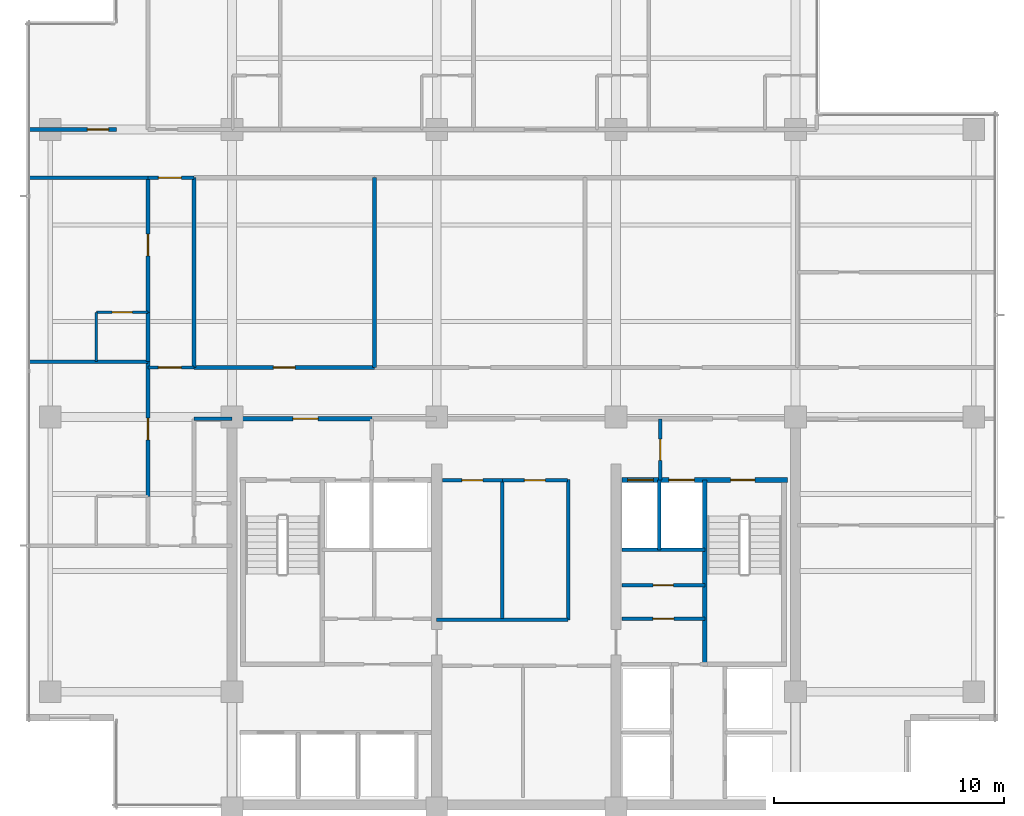
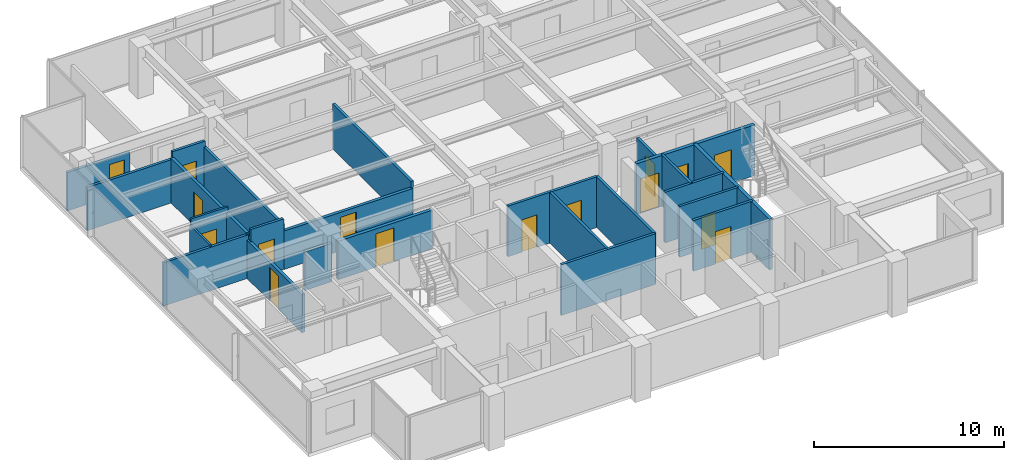
# One storey, part 8 of 14: 27 walls, 16 doors, 16 openings.
"""IFC4 building model written with IfcOpenShell, lengths in metres."""

from ifc_helpers import new_model, si_unit, direction, frame, frame_2d, origin, place, context, subcontext, project, spatial, rectangle, extrude, material, layer, layer_set, type_object, element, fill, save


model = new_model("IFC4")

# Units and contexts
model_context = context("Model", 3, precision=1e-05, world=origin(), true_north=direction((0.0, 1.0)))
body_context = subcontext(model_context, "Body", "Model", "MODEL_VIEW")
ifc_project = project(units=[si_unit("LENGTHUNIT", "METRE"), si_unit("AREAUNIT", "SQUARE_METRE"), si_unit("VOLUMEUNIT", "CUBIC_METRE"), si_unit("PLANEANGLEUNIT", "RADIAN"), si_unit("MASSUNIT", "GRAM", prefix="KILO")], contexts=[model_context])

# Site, building, storey
site_placement = place(None, origin())
site = spatial("IfcSite", under=ifc_project, at=site_placement, CompositionType="ELEMENT")
building_placement = place(site_placement, origin())
building = spatial("IfcBuilding", under=site, at=building_placement, Name="Qalmaran Belvedere Hotel", CompositionType="ELEMENT")
storey_placement = place(building_placement, frame((0.0, 0.0, 210.89990234375)))
storey = spatial("IfcBuildingStorey", under=building, at=storey_placement, Name="L53", CompositionType="ELEMENT", Elevation=210.89990234375)

# Wall, opening, door
ifc_material_1 = material(Name="Moisture-Resistant Gypsum")
ifc_layer_1 = layer(ifc_material_1, 0.1201171875, Name="Moisture-Resistant Gypsum")
ifc_layer_set_1 = layer_set([ifc_layer_1], Name="Moisture-Resistant Gypsum")
wall_type_1 = type_object("IfcWallType", Name="WL-INT-120-BATH", PredefinedType="PARTITIONING", material=ifc_layer_set_1)
wall_1_placement = place(storey_placement, frame((14.39990234375, 25.050048828125, 0.0), z_axis=(0.0, 0.0, 1.0), x_axis=(1.0, 0.0, 0.0)))
wall_1 = element("IfcWall", 1, at=wall_1_placement, inside=storey, type_object=wall_type_1, Name="L53 Partition WL-L53-WBN01", PredefinedType="PARTITIONING", context=body_context, shape_type="SweptSolid", body=[
    extrude(rectangle(XDim=2.25, YDim=0.1201171875, at=frame_2d((1.125, 0.0))), origin(), (0.0, 0.0, 1.0), 3.260009765625),
])
opening_1_placement = place(wall_1_placement, frame((1.56494140625, 0.0, 0.0), z_axis=(0.0, 0.0, 1.0), x_axis=(-1.0, 0.0, 0.0)))
opening_1 = element("IfcOpeningElement", 2, at=opening_1_placement, cuts=wall_1, Name="Opening D-BATH", PredefinedType="OPENING", context=body_context, shape_type="SweptSolid", body=[
    extrude(rectangle(XDim=0.8798828125, YDim=2.080078125, at=frame_2d((0.43994140625, 1.0400390625))), frame((0.0, 0.070068359375, 0.0), z_axis=(0.0, -1.0, 0.0), x_axis=(1.0, 0.0, 0.0)), (0.0, 0.0, 1.0), 0.14013671875),
])
ifc_material_2 = material(Name="Engineered Oak Veneer")
door_type_1 = type_object("IfcDoorType", Name="DR-INT-BATH-880X2080", OperationType="NOTDEFINED", PredefinedType="DOOR", material=ifc_material_2)
door_1_placement = place(opening_1_placement, origin())
door_1 = element("IfcDoor", 3, at=door_1_placement, inside=storey, type_object=door_type_1, Name="L53 W Ensuite Door 02", OperationType="SINGLE_SWING_RIGHT", OverallHeight=2.080078125, OverallWidth=0.8798828125, PredefinedType="DOOR", context=body_context, shape_type="SweptSolid", body=[
    extrude(rectangle(XDim=0.8798828125, YDim=2.080078125, at=frame_2d((0.43994140625, 1.0400390625))), frame((0.0, 0.02490234375, 0.0), z_axis=(0.0, -1.0, 0.0), x_axis=(1.0, 0.0, 0.0)), (0.0, 0.0, 1.0), 0.050048828125),
])
fill(opening_1, door_1)

# Walls
wall_2_placement = place(storey_placement, frame((14.39990234375, 22.89990234375, 0.0), z_axis=(0.0, 0.0, 1.0), x_axis=(0.0, 1.0, 0.0)))
element("IfcWall", 4, at=wall_2_placement, inside=storey, type_object=wall_type_1, Name="L53 Partition WL-L53-WBS01", PredefinedType="PARTITIONING", context=body_context, shape_type="SweptSolid", body=[
    extrude(rectangle(XDim=2.150146484375, YDim=0.1201171875, at=frame_2d((1.0751953125, 0.0))), origin(), (0.0, 0.0, 1.0), 2.88720703125),
])
ifc_material_3 = material(Name="Gypsum Stud Partition")
ifc_layer_2 = layer(ifc_material_3, 0.14990234375, Name="Gypsum Stud Partition")
ifc_layer_set_2 = layer_set([ifc_layer_2], Name="Gypsum Stud Partition")
wall_type_2 = type_object("IfcWallType", Name="WL-INT-150-EI120", PredefinedType="PARTITIONING", material=ifc_layer_set_2)
wall_3_placement = place(storey_placement, frame((38.8798828125, 14.719970703125, 0.0), z_axis=(0.0, 0.0, 1.0), x_axis=(0.0, 1.0, 0.0)))
element("IfcWall", 5, at=wall_3_placement, inside=storey, type_object=wall_type_2, Name="L53 Partition WL-FF2M-L53", PredefinedType="PARTITIONING", context=body_context, shape_type="SweptSolid", body=[
    extrude(rectangle(XDim=3.0400390625, YDim=0.14990234375, at=frame_2d((1.52001953125, 0.0))), origin(), (0.0, 0.0, 1.0), 3.260009765625),
])

# Wall, opening, door
ifc_layer_3 = layer(ifc_material_3, 0.14990234375, Name="Gypsum Stud Partition")
ifc_layer_set_3 = layer_set([ifc_layer_3], Name="Gypsum Stud Partition")
wall_type_3 = type_object("IfcWallType", Name="WL-INT-150-EI60", PredefinedType="PARTITIONING", material=ifc_layer_set_3)
wall_4_placement = place(storey_placement, frame((37.25, 13.18505859375, 0.0), z_axis=(0.0, 0.0, 1.0), x_axis=(1.0, 0.0, 0.0)))
wall_4 = element("IfcWall", 6, at=wall_4_placement, inside=storey, type_object=wall_type_3, Name="L53 Partition WL-L53-KEHM", PredefinedType="PARTITIONING", context=body_context, shape_type="SweptSolid", body=[
    extrude(rectangle(XDim=3.610107421875, YDim=0.14990234375, at=frame_2d((1.80517578125, 0.0))), origin(), (0.0, 0.0, 1.0), 3.260009765625),
])
opening_2_placement = place(wall_4_placement, frame((1.364990234375, 0.0, 0.0)))
opening_2 = element("IfcOpeningElement", 7, at=opening_2_placement, cuts=wall_4, Name="Opening FD60B", PredefinedType="OPENING", context=body_context, shape_type="SweptSolid", body=[
    extrude(rectangle(XDim=0.8798828125, YDim=2.080078125, at=frame_2d((0.43994140625, 1.0400390625))), frame((0.0, 0.0849609375, 0.0), z_axis=(0.0, -1.0, 0.0), x_axis=(1.0, 0.0, 0.0)), (0.0, 0.0, 1.0), 0.169921875),
])
ifc_material_4 = material(Name="Steel S355JR", Category="steel")
door_type_2 = type_object("IfcDoorType", Name="DR-FD60B-880X2080", OperationType="NOTDEFINED", PredefinedType="DOOR", material=ifc_material_4)
door_2_placement = place(opening_2_placement, origin())
door_2 = element("IfcDoor", 8, at=door_2_placement, inside=storey, type_object=door_type_2, Name="L53 Hotel Linen Closet Door", OperationType="SINGLE_SWING_RIGHT", OverallHeight=2.080078125, OverallWidth=0.8798828125, PredefinedType="DOOR", context=body_context, shape_type="SweptSolid", body=[
    extrude(rectangle(XDim=0.8798828125, YDim=2.080078125, at=frame_2d((0.43994140625, 1.0400390625))), frame((0.0, 0.02490234375, 0.0), z_axis=(0.0, -1.0, 0.0), x_axis=(1.0, 0.0, 0.0)), (0.0, 0.0, 1.0), 0.050048828125),
])
fill(opening_2, door_2)

# Wall
wall_5_placement = place(storey_placement, frame((32.056396484375, 11.739990234375, 0.0), z_axis=(0.0, 0.0, 1.0), x_axis=(0.0, 1.0, 0.0)))
element("IfcWall", 9, at=wall_5_placement, inside=storey, type_object=wall_type_3, Name="L53 Partition WL-L53-KPMV1", PredefinedType="PARTITIONING", context=body_context, shape_type="SweptSolid", body=[
    extrude(rectangle(XDim=6.010009765625, YDim=0.14990234375, at=frame_2d((3.0048828125, 0.0))), origin(), (0.0, 0.0, 1.0), 3.260009765625),
])

# Wall, opening, door
wall_6_placement = place(storey_placement, frame((16.64990234375, 22.64990234375, 0.0), z_axis=(0.0, 0.0, 1.0), x_axis=(1.0, 0.0, 0.0)))
wall_6 = element("IfcWall", 10, at=wall_6_placement, inside=storey, type_object=wall_type_3, Name="L53 Partition WL-L53-XCW1", PredefinedType="PARTITIONING", context=body_context, shape_type="SweptSolid", body=[
    extrude(rectangle(XDim=2.0, YDim=0.14990234375, at=frame_2d((1.0, 0.0))), origin(), (0.0, 0.0, 1.0), 3.260009765625),
])
opening_3_placement = place(wall_6_placement, frame((0.449951171875, 0.0, 0.0)))
opening_3 = element("IfcOpeningElement", 11, at=opening_3_placement, cuts=wall_6, Name="Opening FD90B", PredefinedType="OPENING", context=body_context, shape_type="SweptSolid", body=[
    extrude(rectangle(XDim=1.0, YDim=2.14990234375, at=frame_2d((0.5, 1.074951171875))), frame((0.0, 0.0849609375, 0.0), z_axis=(0.0, -1.0, 0.0), x_axis=(1.0, 0.0, 0.0)), (0.0, 0.0, 1.0), 0.169921875),
])
door_type_3 = type_object("IfcDoorType", Name="DR-FD90B-1000X2150", OperationType="NOTDEFINED", PredefinedType="DOOR", material=ifc_material_4)
door_3_placement = place(opening_3_placement, origin())
door_3 = element("IfcDoor", 12, at=door_3_placement, inside=storey, type_object=door_type_3, Name="L53 West Corridor Smoke Door S", OperationType="SINGLE_SWING_LEFT", OverallHeight=2.14990234375, OverallWidth=1.0, PredefinedType="DOOR", context=body_context, shape_type="SweptSolid", body=[
    extrude(rectangle(XDim=1.0, YDim=2.14990234375, at=frame_2d((0.5, 1.074951171875))), frame((0.0, 0.02490234375, 0.0), z_axis=(0.0, -1.0, 0.0), x_axis=(1.0, 0.0, 0.0)), (0.0, 0.0, 1.0), 0.050048828125),
])
fill(opening_3, door_3)

wall_7_placement = place(storey_placement, frame((16.64990234375, 30.89990234375, 0.0), z_axis=(0.0, 0.0, 1.0), x_axis=(1.0, 0.0, 0.0)))
wall_7 = element("IfcWall", 13, at=wall_7_placement, inside=storey, type_object=wall_type_3, Name="L53 Partition WL-L53-XCW2", PredefinedType="PARTITIONING", context=body_context, shape_type="SweptSolid", body=[
    extrude(rectangle(XDim=2.0, YDim=0.14990234375, at=frame_2d((1.0, 0.0))), origin(), (0.0, 0.0, 1.0), 3.260009765625),
])
opening_4_placement = place(wall_7_placement, frame((0.449951171875, 0.0, 0.0)))
opening_4 = element("IfcOpeningElement", 14, at=opening_4_placement, cuts=wall_7, Name="Opening FD90B", PredefinedType="OPENING", context=body_context, shape_type="SweptSolid", body=[
    extrude(rectangle(XDim=1.0, YDim=2.14990234375, at=frame_2d((0.5, 1.074951171875))), frame((0.0, 0.0849609375, 0.0), z_axis=(0.0, -1.0, 0.0), x_axis=(1.0, 0.0, 0.0)), (0.0, 0.0, 1.0), 0.169921875),
])
door_4_placement = place(opening_4_placement, origin())
door_4 = element("IfcDoor", 15, at=door_4_placement, inside=storey, type_object=door_type_3, Name="L53 West Corridor Smoke Door N", OperationType="SINGLE_SWING_RIGHT", OverallHeight=2.14990234375, OverallWidth=1.0, PredefinedType="DOOR", context=body_context, shape_type="SweptSolid", body=[
    extrude(rectangle(XDim=1.0, YDim=2.14990234375, at=frame_2d((0.5, 1.074951171875))), frame((0.0, 0.02490234375, 0.0), z_axis=(0.0, -1.0, 0.0), x_axis=(1.0, 0.0, 0.0)), (0.0, 0.0, 1.0), 0.050048828125),
])
fill(opening_4, door_4)

ifc_layer_4 = layer(ifc_material_3, 0.159912109375, Name="Gypsum Stud Partition")
ifc_layer_set_4 = layer_set([ifc_layer_4], Name="Gypsum Stud Partition")
wall_type_4 = type_object("IfcWallType", Name="WL-INT-160-EI120", PredefinedType="PARTITIONING", material=ifc_layer_set_4)
wall_8_placement = place(storey_placement, frame((38.919921875, 17.760009765625, 0.0), z_axis=(0.0, 0.0, 1.0), x_axis=(0.0, 1.0, 0.0)))
wall_8 = element("IfcWall", 16, at=wall_8_placement, inside=storey, type_object=wall_type_4, Name="L53 Partition WL-FFSV2-L53", PredefinedType="PARTITIONING", context=body_context, shape_type="SweptSolid", body=[
    extrude(rectangle(XDim=2.659912109375, YDim=0.159912109375, at=frame_2d((1.330078125, 0.0))), origin(), (0.0, 0.0, 1.0), 2.7060546875),
])
opening_5_placement = place(wall_8_placement, frame((1.77001953125, 0.0, 0.0), z_axis=(0.0, 0.0, 1.0), x_axis=(-1.0, 0.0, 0.0)))
opening_5 = element("IfcOpeningElement", 17, at=opening_5_placement, cuts=wall_8, Name="Opening FD60S1", PredefinedType="OPENING", context=body_context, shape_type="SweptSolid", body=[
    extrude(rectangle(XDim=0.919921875, YDim=2.080078125, at=frame_2d((0.4599609375, 1.0400390625))), frame((0.0, 0.08984375, 0.0), z_axis=(0.0, -1.0, 0.0), x_axis=(1.0, 0.0, 0.0)), (0.0, 0.0, 1.0), 0.179931640625),
])
door_type_4 = type_object("IfcDoorType", Name="DR-FD60S-920X2080", OperationType="NOTDEFINED", PredefinedType="DOOR", material=ifc_material_2)
door_5_placement = place(opening_5_placement, origin())
door_5 = element("IfcDoor", 18, at=door_5_placement, inside=storey, type_object=door_type_4, Name="L53 Service Lobby East Door", OperationType="SINGLE_SWING_LEFT", OverallHeight=2.080078125, OverallWidth=0.919921875, PredefinedType="DOOR", context=body_context, shape_type="SweptSolid", body=[
    extrude(rectangle(XDim=0.919921875, YDim=2.080078125, at=frame_2d((0.4599609375, 1.0400390625))), frame((0.0, 0.02490234375, 0.0), z_axis=(0.0, -1.0, 0.0), x_axis=(1.0, 0.0, 0.0)), (0.0, 0.0, 1.0), 0.050048828125),
])
fill(opening_5, door_5)

# Wall
wall_9_placement = place(storey_placement, frame((37.25, 14.719970703125, 0.0), z_axis=(0.0, 0.0, 1.0), x_axis=(1.0, 0.0, 0.0)))
element("IfcWall", 19, at=wall_9_placement, inside=storey, type_object=wall_type_4, Name="L53 Partition WL-FF2S-L53", PredefinedType="PARTITIONING", context=body_context, shape_type="SweptSolid", body=[
    extrude(rectangle(XDim=3.610107421875, YDim=0.159912109375, at=frame_2d((1.80517578125, 0.0))), origin(), (0.0, 0.0, 1.0), 3.260009765625),
])

# Wall, opening, door
ifc_layer_5 = layer(ifc_material_3, 0.159912109375, Name="Gypsum Stud Partition")
ifc_layer_set_5 = layer_set([ifc_layer_5], Name="Gypsum Stud Partition")
wall_type_5 = type_object("IfcWallType", Name="WL-INT-160-EI60", PredefinedType="PARTITIONING", material=ifc_layer_set_5)
wall_10_placement = place(storey_placement, frame((37.25, 11.719970703125, 0.0), z_axis=(0.0, 0.0, 1.0), x_axis=(1.0, 0.0, 0.0)))
wall_10 = element("IfcWall", 20, at=wall_10_placement, inside=storey, type_object=wall_type_5, Name="L53 Partition WL-L53-KEE1", PredefinedType="PARTITIONING", context=body_context, shape_type="SweptSolid", body=[
    extrude(rectangle(XDim=3.610107421875, YDim=0.159912109375, at=frame_2d((1.80517578125, 0.0))), origin(), (0.0, 0.0, 1.0), 3.260009765625),
])
opening_6_placement = place(wall_10_placement, frame((1.344970703125, 0.0, 0.0)))
opening_6 = element("IfcOpeningElement", 21, at=opening_6_placement, cuts=wall_10, Name="Opening FD60S1", PredefinedType="OPENING", context=body_context, shape_type="SweptSolid", body=[
    extrude(rectangle(XDim=0.919921875, YDim=2.080078125, at=frame_2d((0.4599609375, 1.0400390625))), frame((0.0, 0.08984375, 0.0), z_axis=(0.0, -1.0, 0.0), x_axis=(1.0, 0.0, 0.0)), (0.0, 0.0, 1.0), 0.179931640625),
])
door_6_placement = place(opening_6_placement, origin())
door_6 = element("IfcDoor", 22, at=door_6_placement, inside=storey, type_object=door_type_4, Name="L53 Low Voltage Switch Room Door", OperationType="SINGLE_SWING_LEFT", OverallHeight=2.080078125, OverallWidth=0.919921875, PredefinedType="DOOR", context=body_context, shape_type="SweptSolid", body=[
    extrude(rectangle(XDim=0.919921875, YDim=2.080078125, at=frame_2d((0.4599609375, 1.0400390625))), frame((0.0, 0.02490234375, 0.0), z_axis=(0.0, -1.0, 0.0), x_axis=(1.0, 0.0, 0.0)), (0.0, 0.0, 1.0), 0.050048828125),
])
fill(opening_6, door_6)

# Walls
wall_11_placement = place(storey_placement, frame((34.919921875, 11.679931640625, 0.0), z_axis=(0.0, 0.0, 1.0), x_axis=(0.0, 1.0, 0.0)))
element("IfcWall", 23, at=wall_11_placement, inside=storey, type_object=wall_type_5, Name="L53 Partition WL-CLLV-L53", PredefinedType="PARTITIONING", context=body_context, shape_type="SweptSolid", body=[
    extrude(rectangle(XDim=6.10009765625, YDim=0.159912109375, at=frame_2d((3.050048828125, 0.0))), origin(), (0.0, 0.0, 1.0), 3.260009765625),
])
wall_12_placement = place(storey_placement, frame((29.199951171875, 11.679931640625, 0.0), z_axis=(0.0, 0.0, 1.0), x_axis=(1.0, 0.0, 0.0)))
element("IfcWall", 24, at=wall_12_placement, inside=storey, type_object=wall_type_5, Name="L53 Partition WL-PMFS-L53", PredefinedType="PARTITIONING", context=body_context, shape_type="SweptSolid", body=[
    extrude(rectangle(XDim=5.719970703125, YDim=0.159912109375, at=frame_2d((2.85986328125, 0.0))), origin(), (0.0, 0.0, 1.0), 3.260009765625),
])

# Wall, opening, door
wall_13_placement = place(storey_placement, frame((29.449951171875, 17.75, 0.0), z_axis=(0.0, 0.0, 1.0), x_axis=(1.0, 0.0, 0.0)))
wall_13 = element("IfcWall", 25, at=wall_13_placement, inside=storey, type_object=wall_type_5, Name="L53 Partition WL-L53-KPME1", PredefinedType="PARTITIONING", context=body_context, shape_type="SweptSolid", body=[
    extrude(rectangle(XDim=2.6064453125, YDim=0.159912109375, at=frame_2d((1.30322265625, 0.0))), origin(), (0.0, 0.0, 1.0), 3.260009765625),
])
opening_7_placement = place(wall_13_placement, frame((1.76318359375, 0.0, 0.0), z_axis=(0.0, 0.0, 1.0), x_axis=(-1.0, 0.0, 0.0)))
opening_7 = element("IfcOpeningElement", 26, at=opening_7_placement, cuts=wall_13, Name="Opening FD60S1", PredefinedType="OPENING", context=body_context, shape_type="SweptSolid", body=[
    extrude(rectangle(XDim=0.919921875, YDim=2.080078125, at=frame_2d((0.4599609375, 1.0400390625))), frame((0.0, 0.08984375, 0.0), z_axis=(0.0, -1.0, 0.0), x_axis=(1.0, 0.0, 0.0)), (0.0, 0.0, 1.0), 0.179931640625),
])
door_7_placement = place(opening_7_placement, origin())
door_7 = element("IfcDoor", 27, at=door_7_placement, inside=storey, type_object=door_type_4, Name="L53 Floor Linen Supply Store Door", OperationType="SINGLE_SWING_LEFT", OverallHeight=2.080078125, OverallWidth=0.919921875, PredefinedType="DOOR", context=body_context, shape_type="SweptSolid", body=[
    extrude(rectangle(XDim=0.919921875, YDim=2.080078125, at=frame_2d((0.4599609375, 1.0400390625))), frame((0.0, 0.02490234375, 0.0), z_axis=(0.0, -1.0, 0.0), x_axis=(1.0, 0.0, 0.0)), (0.0, 0.0, 1.0), 0.050048828125),
])
fill(opening_7, door_7)

wall_14_placement = place(storey_placement, frame((32.056396484375, 17.75, 0.0), z_axis=(0.0, 0.0, 1.0), x_axis=(1.0, 0.0, 0.0)))
wall_14 = element("IfcWall", 28, at=wall_14_placement, inside=storey, type_object=wall_type_5, Name="L53 Partition WL-L53-KPME2", PredefinedType="PARTITIONING", context=body_context, shape_type="SweptSolid", body=[
    extrude(rectangle(XDim=2.823486328125, YDim=0.159912109375, at=frame_2d((1.41162109375, 0.0))), origin(), (0.0, 0.0, 1.0), 3.260009765625),
])
opening_8_placement = place(wall_14_placement, frame((1.871826171875, 0.0, 0.0), z_axis=(0.0, 0.0, 1.0), x_axis=(-1.0, 0.0, 0.0)))
opening_8 = element("IfcOpeningElement", 29, at=opening_8_placement, cuts=wall_14, Name="Opening FD60S1", PredefinedType="OPENING", context=body_context, shape_type="SweptSolid", body=[
    extrude(rectangle(XDim=0.919921875, YDim=2.080078125, at=frame_2d((0.4599609375, 1.0400390625))), frame((0.0, 0.08984375, 0.0), z_axis=(0.0, -1.0, 0.0), x_axis=(1.0, 0.0, 0.0)), (0.0, 0.0, 1.0), 0.179931640625),
])
door_8_placement = place(opening_8_placement, origin())
door_8 = element("IfcDoor", 30, at=door_8_placement, inside=storey, type_object=door_type_4, Name="L53 Core Tableware Store Door", OperationType="SINGLE_SWING_RIGHT", OverallHeight=2.080078125, OverallWidth=0.919921875, PredefinedType="DOOR", context=body_context, shape_type="SweptSolid", body=[
    extrude(rectangle(XDim=0.919921875, YDim=2.080078125, at=frame_2d((0.4599609375, 1.0400390625))), frame((0.0, 0.02490234375, 0.0), z_axis=(0.0, -1.0, 0.0), x_axis=(1.0, 0.0, 0.0)), (0.0, 0.0, 1.0), 0.050048828125),
])
fill(opening_8, door_8)

# Walls
wall_15_placement = place(storey_placement, frame((18.64990234375, 20.419921875, 0.0), z_axis=(0.0, 0.0, 1.0), x_axis=(1.0, 0.0, 0.0)))
element("IfcWall", 31, at=wall_15_placement, inside=storey, type_object=wall_type_5, Name="L53 Partition WL-L53-WCLN", PredefinedType="PARTITIONING", context=body_context, shape_type="SweptSolid", body=[
    extrude(rectangle(XDim=1.650146484375, YDim=0.159912109375, at=frame_2d((0.8251953125, 0.0))), origin(), (0.0, 0.0, 1.0), 2.47216796875),
])
for number, where, z_axis, x_axis, name in (
    (32, (18.64990234375, 22.64990234375, 0.0), (0.0, 0.0, 1.0), (0.0, 1.0, 0.0), "L53 Partition WL-L53-MIDVL"),
    (33, (26.5, 22.64990234375, 0.0), (0.0, 0.0, 1.0), (0.0, 1.0, 0.0), "L53 Partition WL-L53-MIDVR1"),
):
    element("IfcWall", number, at=place(storey_placement, frame(where, z_axis=z_axis, x_axis=x_axis)), inside=storey, type_object=wall_type_5, Name=name, PredefinedType="PARTITIONING", context=body_context, shape_type="SweptSolid", body=[
        extrude(rectangle(XDim=8.25, YDim=0.159912109375, at=frame_2d((4.125, 0.0))), origin(), (0.0, 0.0, 1.0), 2.88720703125),
    ])
for number, where, z_axis, x_axis, name in (
    (34, (11.469970703125, 22.89990234375, 0.0), (0.0, 0.0, 1.0), (1.0, 0.0, 0.0), "L53 Partition WL-L53-WU00"),
    (35, (11.469970703125, 30.89990234375, 0.0), (0.0, 0.0, 1.0), (1.0, 0.0, 0.0), "L53 Partition WL-L53-WU01"),
):
    element("IfcWall", number, at=place(storey_placement, frame(where, z_axis=z_axis, x_axis=x_axis)), inside=storey, type_object=wall_type_5, Name=name, PredefinedType="PARTITIONING", context=body_context, shape_type="SweptSolid", body=[
        extrude(rectangle(XDim=5.179931640625, YDim=0.159912109375, at=frame_2d((2.58984375, 0.0))), origin(), (0.0, 0.0, 1.0), 2.781982421875),
    ])

# Wall, opening, door
ifc_layer_6 = layer(ifc_material_3, 0.179931640625, Name="Gypsum Stud Partition")
ifc_layer_set_6 = layer_set([ifc_layer_6], Name="Gypsum Stud Partition")
wall_type_6 = type_object("IfcWallType", Name="WL-INT-180-EI60", PredefinedType="PARTITIONING", material=ifc_layer_set_6)
wall_16_placement = place(storey_placement, frame((18.64990234375, 22.64990234375, 0.0), z_axis=(0.0, 0.0, 1.0), x_axis=(1.0, 0.0, 0.0)))
wall_16 = element("IfcWall", 36, at=wall_16_placement, inside=storey, type_object=wall_type_6, Name="L53 Partition WL-L53-MIDD1", PredefinedType="PARTITIONING", context=body_context, shape_type="SweptSolid", body=[
    extrude(rectangle(XDim=7.85009765625, YDim=0.179931640625, at=frame_2d((3.925048828125, 0.0))), origin(), (0.0, 0.0, 1.0), 2.47216796875),
])
opening_9_placement = place(wall_16_placement, frame((3.449951171875, 0.0, 0.0)))
opening_9 = element("IfcOpeningElement", 37, at=opening_9_placement, cuts=wall_16, Name="Opening FD60", PredefinedType="OPENING", context=body_context, shape_type="SweptSolid", body=[
    extrude(rectangle(XDim=0.949951171875, YDim=2.14990234375, at=frame_2d((0.47509765625, 1.074951171875))), frame((0.0, 0.10009765625, 0.0), z_axis=(0.0, -1.0, 0.0), x_axis=(1.0, 0.0, 0.0)), (0.0, 0.0, 1.0), 0.199951171875),
])
door_type_5 = type_object("IfcDoorType", Name="DR-FD60-950X2150", OperationType="NOTDEFINED", PredefinedType="DOOR", material=ifc_material_2)
door_9_placement = place(opening_9_placement, origin())
door_9 = element("IfcDoor", 38, at=door_9_placement, inside=storey, type_object=door_type_5, Name="L53 Housekeeping and Linen Room Door", OperationType="SINGLE_SWING_LEFT", OverallHeight=2.14990234375, OverallWidth=0.949951171875, PredefinedType="DOOR", context=body_context, shape_type="SweptSolid", body=[
    extrude(rectangle(XDim=0.949951171875, YDim=2.14990234375, at=frame_2d((0.47509765625, 1.074951171875))), frame((0.0, 0.02490234375, 0.0), z_axis=(0.0, -1.0, 0.0), x_axis=(1.0, 0.0, 0.0)), (0.0, 0.0, 1.0), 0.050048828125),
])
fill(opening_9, door_9)

wall_17_placement = place(storey_placement, frame((16.64990234375, 17.050048828125, 0.0), z_axis=(0.0, 0.0, 1.0), x_axis=(0.0, 1.0, 0.0)))
wall_17 = element("IfcWall", 39, at=wall_17_placement, inside=storey, type_object=wall_type_6, Name="L53 Partition WL-L53-WEC00", PredefinedType="PARTITIONING", context=body_context, shape_type="SweptSolid", body=[
    extrude(rectangle(XDim=5.849853515625, YDim=0.179931640625, at=frame_2d((2.9248046875, 0.0))), origin(), (0.0, 0.0, 1.0), 2.47216796875),
])
opening_10_placement = place(wall_17_placement, frame((2.449951171875, 0.0, 0.0)))
opening_10 = element("IfcOpeningElement", 40, at=opening_10_placement, cuts=wall_17, Name="Opening FD60", PredefinedType="OPENING", context=body_context, shape_type="SweptSolid", body=[
    extrude(rectangle(XDim=0.949951171875, YDim=2.14990234375, at=frame_2d((0.47509765625, 1.074951171875))), frame((0.0, 0.10009765625, 0.0), z_axis=(0.0, -1.0, 0.0), x_axis=(1.0, 0.0, 0.0)), (0.0, 0.0, 1.0), 0.199951171875),
])
door_10_placement = place(opening_10_placement, origin())
door_10 = element("IfcDoor", 41, at=door_10_placement, inside=storey, type_object=door_type_5, Name="L53 W Wing Door 01", OperationType="SINGLE_SWING_LEFT", OverallHeight=2.14990234375, OverallWidth=0.949951171875, PredefinedType="DOOR", context=body_context, shape_type="SweptSolid", body=[
    extrude(rectangle(XDim=0.949951171875, YDim=2.14990234375, at=frame_2d((0.47509765625, 1.074951171875))), frame((0.0, 0.02490234375, 0.0), z_axis=(0.0, -1.0, 0.0), x_axis=(1.0, 0.0, 0.0)), (0.0, 0.0, 1.0), 0.050048828125),
])
fill(opening_10, door_10)

# Wall
wall_18_placement = place(storey_placement, frame((16.64990234375, 22.89990234375, 0.0), z_axis=(0.0, 0.0, 1.0), x_axis=(0.0, 1.0, 0.0)))
element("IfcWall", 42, at=wall_18_placement, inside=storey, type_object=wall_type_6, Name="L53 Partition WL-L53-WBC01", PredefinedType="PARTITIONING", context=body_context, shape_type="SweptSolid", body=[
    extrude(rectangle(XDim=2.150146484375, YDim=0.179931640625, at=frame_2d((1.0751953125, 0.0))), origin(), (0.0, 0.0, 1.0), 2.88720703125),
])

# Wall, opening, door
wall_19_placement = place(storey_placement, frame((16.64990234375, 25.050048828125, 0.0), z_axis=(0.0, 0.0, 1.0), x_axis=(0.0, 1.0, 0.0)))
wall_19 = element("IfcWall", 43, at=wall_19_placement, inside=storey, type_object=wall_type_6, Name="L53 Partition WL-L53-WEC01", PredefinedType="PARTITIONING", context=body_context, shape_type="SweptSolid", body=[
    extrude(rectangle(XDim=5.849853515625, YDim=0.179931640625, at=frame_2d((2.9248046875, 0.0))), origin(), (0.0, 0.0, 1.0), 2.88720703125),
])
opening_11_placement = place(wall_19_placement, frame((2.449951171875, 0.0, 0.0)))
opening_11 = element("IfcOpeningElement", 44, at=opening_11_placement, cuts=wall_19, Name="Opening FD60", PredefinedType="OPENING", context=body_context, shape_type="SweptSolid", body=[
    extrude(rectangle(XDim=0.949951171875, YDim=2.14990234375, at=frame_2d((0.47509765625, 1.074951171875))), frame((0.0, 0.10009765625, 0.0), z_axis=(0.0, -1.0, 0.0), x_axis=(1.0, 0.0, 0.0)), (0.0, 0.0, 1.0), 0.199951171875),
])
door_11_placement = place(opening_11_placement, origin())
door_11 = element("IfcDoor", 45, at=door_11_placement, inside=storey, type_object=door_type_5, Name="L53 W Wing Door 02", OperationType="SINGLE_SWING_LEFT", OverallHeight=2.14990234375, OverallWidth=0.949951171875, PredefinedType="DOOR", context=body_context, shape_type="SweptSolid", body=[
    extrude(rectangle(XDim=0.949951171875, YDim=2.14990234375, at=frame_2d((0.47509765625, 1.074951171875))), frame((0.0, 0.02490234375, 0.0), z_axis=(0.0, -1.0, 0.0), x_axis=(1.0, 0.0, 0.0)), (0.0, 0.0, 1.0), 0.050048828125),
])
fill(opening_11, door_11)

wall_20_placement = place(storey_placement, frame((11.469970703125, 33.0, 0.0), z_axis=(0.0, 0.0, 1.0), x_axis=(1.0, 0.0, 0.0)))
wall_20 = element("IfcWall", 46, at=wall_20_placement, inside=storey, type_object=wall_type_6, Name="L53 Partition WL-L53-NWSD", PredefinedType="PARTITIONING", context=body_context, shape_type="SweptSolid", body=[
    extrude(rectangle(XDim=3.800048828125, YDim=0.179931640625, at=frame_2d((1.89990234375, 0.0))), origin(), (0.0, 0.0, 1.0), 2.47216796875),
])
opening_12_placement = place(wall_20_placement, frame((2.543701171875, 0.0, 0.0)))
opening_12 = element("IfcOpeningElement", 47, at=opening_12_placement, cuts=wall_20, Name="Opening FD60S1", PredefinedType="OPENING", context=body_context, shape_type="SweptSolid", body=[
    extrude(rectangle(XDim=0.919921875, YDim=2.080078125, at=frame_2d((0.4599609375, 1.0400390625))), frame((0.0, 0.10009765625, 0.0), z_axis=(0.0, -1.0, 0.0), x_axis=(1.0, 0.0, 0.0)), (0.0, 0.0, 1.0), 0.199951171875),
])
door_12_placement = place(opening_12_placement, origin())
door_12 = element("IfcDoor", 48, at=door_12_placement, inside=storey, type_object=door_type_4, Name="L53 NW Belvedere Study Door", OperationType="SINGLE_SWING_RIGHT", OverallHeight=2.080078125, OverallWidth=0.919921875, PredefinedType="DOOR", context=body_context, shape_type="SweptSolid", body=[
    extrude(rectangle(XDim=0.919921875, YDim=2.080078125, at=frame_2d((0.4599609375, 1.0400390625))), frame((0.0, 0.02490234375, 0.0), z_axis=(0.0, -1.0, 0.0), x_axis=(1.0, 0.0, 0.0)), (0.0, 0.0, 1.0), 0.050048828125),
])
fill(opening_12, door_12)

ifc_material_5 = material(Name="Concrete C30/37 Blockwork", Category="masonry")
ifc_layer_7 = layer(ifc_material_5, 0.199951171875, Name="Concrete C30/37 Blockwork")
ifc_layer_set_7 = layer_set([ifc_layer_7], Name="Concrete C30/37 Blockwork")
wall_type_7 = type_object("IfcWallType", Name="WL-INT-200-EI120", PredefinedType="PARTITIONING", material=ifc_layer_set_7)
wall_21_placement = place(storey_placement, frame((20.64990234375, 20.419921875, 0.0), z_axis=(0.0, 0.0, 1.0), x_axis=(1.0, 0.0, 0.0)))
wall_21 = element("IfcWall", 49, at=wall_21_placement, inside=storey, type_object=wall_type_7, Name="L53 Partition WL-CN1A-L53", PredefinedType="PARTITIONING", context=body_context, shape_type="SweptSolid", body=[
    extrude(rectangle(XDim=5.72998046875, YDim=0.199951171875, at=frame_2d((2.864990234375, 0.0))), origin(), (0.0, 0.0, 1.0), 2.47216796875),
])
opening_13_placement = place(wall_21_placement, frame((2.300048828125, 0.0, 0.0)))
opening_13 = element("IfcOpeningElement", 50, at=opening_13_placement, cuts=wall_21, Name="Opening FD90", PredefinedType="OPENING", context=body_context, shape_type="SweptSolid", body=[
    extrude(rectangle(XDim=1.10009765625, YDim=2.14990234375, at=frame_2d((0.550048828125, 1.074951171875))), frame((0.0, 0.10986328125, 0.0), z_axis=(0.0, -1.0, 0.0), x_axis=(1.0, 0.0, 0.0)), (0.0, 0.0, 1.0), 0.219970703125),
])
door_type_6 = type_object("IfcDoorType", Name="DR-FD90-1100X2150", OperationType="NOTDEFINED", PredefinedType="DOOR", material=ifc_material_4)
door_13_placement = place(opening_13_placement, origin())
door_13 = element("IfcDoor", 51, at=door_13_placement, inside=storey, type_object=door_type_6, Name="L53 FF1 Lobby Corridor Door", OperationType="SINGLE_SWING_RIGHT", OverallHeight=2.14990234375, OverallWidth=1.10009765625, PredefinedType="DOOR", context=body_context, shape_type="SweptSolid", body=[
    extrude(rectangle(XDim=1.10009765625, YDim=2.14990234375, at=frame_2d((0.550048828125, 1.074951171875))), frame((0.0, 0.02490234375, 0.0), z_axis=(0.0, -1.0, 0.0), x_axis=(1.0, 0.0, 0.0)), (0.0, 0.0, 1.0), 0.050048828125),
])
fill(opening_13, door_13)

# Wall
ifc_material_6 = material(Name="Concrete C50/60", Category="concrete")
ifc_layer_8 = layer(ifc_material_6, 0.2099609375, Name="Concrete C50/60")
ifc_layer_set_8 = layer_set([ifc_layer_8], Name="Concrete C50/60")
wall_type_8 = type_object("IfcWallType", Name="WL-STAIR-210-C50", PredefinedType="SHEAR", material=ifc_layer_set_8)
wall_22_placement = place(storey_placement, frame((40.85498046875, 9.7451171875, 0.0), z_axis=(0.0, 0.0, 1.0), x_axis=(0.0, 1.0, 0.0)))
element("IfcWall", 52, at=wall_22_placement, inside=storey, type_object=wall_type_8, Name="L53 Stair ST-2 West Bearing Wall", PredefinedType="SHEAR", context=body_context, shape_type="SweptSolid", body=[
    extrude(rectangle(XDim=8.009765625, YDim=0.2099609375, at=frame_2d((4.0048828125, 0.0))), origin(), (0.0, 0.0, 1.0), 3.260009765625),
])

# Wall, openings, doors
wall_23_placement = place(storey_placement, frame((37.25, 17.7548828125, 0.0), z_axis=(0.0, 0.0, 1.0), x_axis=(1.0, 0.0, 0.0)))
wall_23 = element("IfcWall", 53, at=wall_23_placement, inside=storey, type_object=wall_type_8, Name="L53 East Lobby and Stair ST-2 North Bearing Wall", PredefinedType="SHEAR", context=body_context, shape_type="SweptSolid", body=[
    extrude(rectangle(XDim=7.199951171875, YDim=0.2099609375, at=frame_2d((3.60009765625, 0.0))), origin(), (0.0, 0.0, 1.0), 3.260009765625),
])
opening_14_placement = place(wall_23_placement, frame((0.25, 0.0, 0.0)))
opening_14 = element("IfcOpeningElement", 54, at=opening_14_placement, cuts=wall_23, Name="Opening LD-SV", PredefinedType="OPENING", context=body_context, shape_type="SweptSolid", body=[
    extrude(rectangle(XDim=1.1201171875, YDim=2.199951171875, at=frame_2d((0.56005859375, 1.10009765625))), frame((0.0, 0.114990234375, 0.0), z_axis=(0.0, -1.0, 0.0), x_axis=(1.0, 0.0, 0.0)), (0.0, 0.0, 1.0), 0.22998046875),
])
opening_15_placement = place(wall_23_placement, frame((2.050048828125, 0.0, 0.0)))
opening_15 = element("IfcOpeningElement", 55, at=opening_15_placement, cuts=wall_23, Name="Opening LD-FF", PredefinedType="OPENING", context=body_context, shape_type="SweptSolid", body=[
    extrude(rectangle(XDim=1.10009765625, YDim=2.179931640625, at=frame_2d((0.550048828125, 1.08984375))), frame((0.0, 0.114990234375, 0.0), z_axis=(0.0, -1.0, 0.0), x_axis=(1.0, 0.0, 0.0)), (0.0, 0.0, 1.0), 0.22998046875),
])
opening_16_placement = place(wall_23_placement, frame((5.780029296875, 0.0, 0.0), z_axis=(0.0, 0.0, 1.0), x_axis=(-1.0, 0.0, 0.0)))
opening_16 = element("IfcOpeningElement", 56, at=opening_16_placement, cuts=wall_23, Name="Opening FD90S2", PredefinedType="OPENING", context=body_context, shape_type="SweptSolid", body=[
    extrude(rectangle(XDim=1.050048828125, YDim=2.14990234375, at=frame_2d((0.52490234375, 1.074951171875))), frame((0.0, 0.114990234375, 0.0), z_axis=(0.0, -1.0, 0.0), x_axis=(1.0, 0.0, 0.0)), (0.0, 0.0, 1.0), 0.22998046875),
])
door_type_7 = type_object("IfcDoorType", Name="DR-FD90S-1050X2150", OperationType="NOTDEFINED", PredefinedType="DOOR", material=ifc_material_4)
door_14_placement = place(opening_16_placement, origin())
door_14 = element("IfcDoor", 57, at=door_14_placement, inside=storey, type_object=door_type_7, Name="L53 Stair ST-2 Door", OperationType="SINGLE_SWING_LEFT", OverallHeight=2.14990234375, OverallWidth=1.050048828125, PredefinedType="DOOR", context=body_context, shape_type="SweptSolid", body=[
    extrude(rectangle(XDim=1.050048828125, YDim=2.14990234375, at=frame_2d((0.52490234375, 1.074951171875))), frame((0.0, 0.02490234375, 0.0), z_axis=(0.0, -1.0, 0.0), x_axis=(1.0, 0.0, 0.0)), (0.0, 0.0, 1.0), 0.050048828125),
])
fill(opening_16, door_14)
ifc_material_7 = material(Name="Stainless Steel 1.4401", Category="steel")
door_type_8 = type_object("IfcDoorType", Name="DR-LIFT-FF-1100X2180", OperationType="DOUBLE_DOOR_SLIDING", PredefinedType="DOOR", material=ifc_material_7)
door_15_placement = place(opening_15_placement, origin())
door_15 = element("IfcDoor", 58, at=door_15_placement, inside=storey, type_object=door_type_8, Name="L53 FF2 Lift Landing Door", OperationType="DOUBLE_DOOR_SLIDING", OverallHeight=2.179931640625, OverallWidth=1.10009765625, PredefinedType="DOOR", context=body_context, shape_type="SweptSolid", body=[
    extrude(rectangle(XDim=1.10009765625, YDim=2.179931640625, at=frame_2d((0.550048828125, 1.08984375))), frame((0.0, 0.02490234375, 0.0), z_axis=(0.0, -1.0, 0.0), x_axis=(1.0, 0.0, 0.0)), (0.0, 0.0, 1.0), 0.050048828125),
])
fill(opening_15, door_15)
door_type_9 = type_object("IfcDoorType", Name="DR-LIFT-SV-1120X2200", OperationType="DOUBLE_DOOR_SLIDING", PredefinedType="DOOR", material=ifc_material_7)
door_16_placement = place(opening_14_placement, origin())
door_16 = element("IfcDoor", 59, at=door_16_placement, inside=storey, type_object=door_type_9, Name="L53 SV2 Lift Landing Door", OperationType="DOUBLE_DOOR_SLIDING", OverallHeight=2.199951171875, OverallWidth=1.1201171875, PredefinedType="DOOR", context=body_context, shape_type="SweptSolid", body=[
    extrude(rectangle(XDim=1.1201171875, YDim=2.199951171875, at=frame_2d((0.56005859375, 1.10009765625))), frame((0.0, 0.02490234375, 0.0), z_axis=(0.0, -1.0, 0.0), x_axis=(1.0, 0.0, 0.0)), (0.0, 0.0, 1.0), 0.050048828125),
])
fill(opening_14, door_16)

save(model, "model.ifc")
